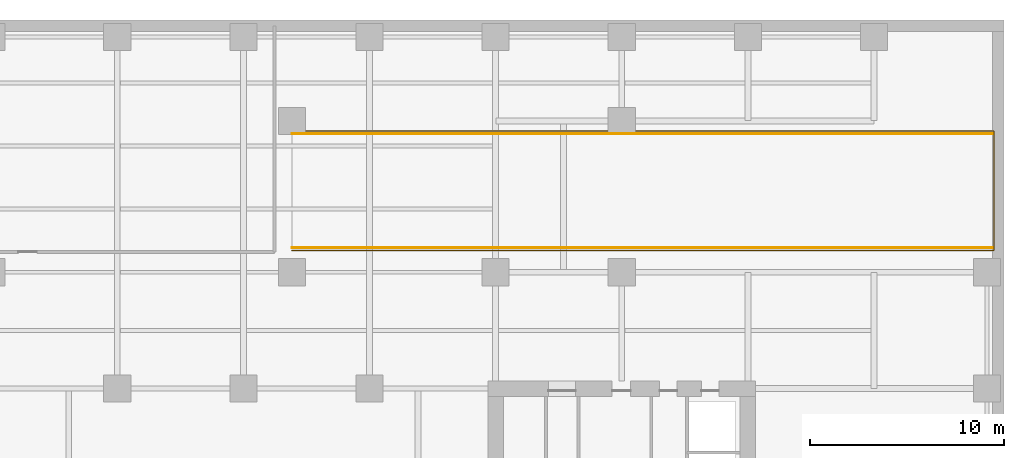
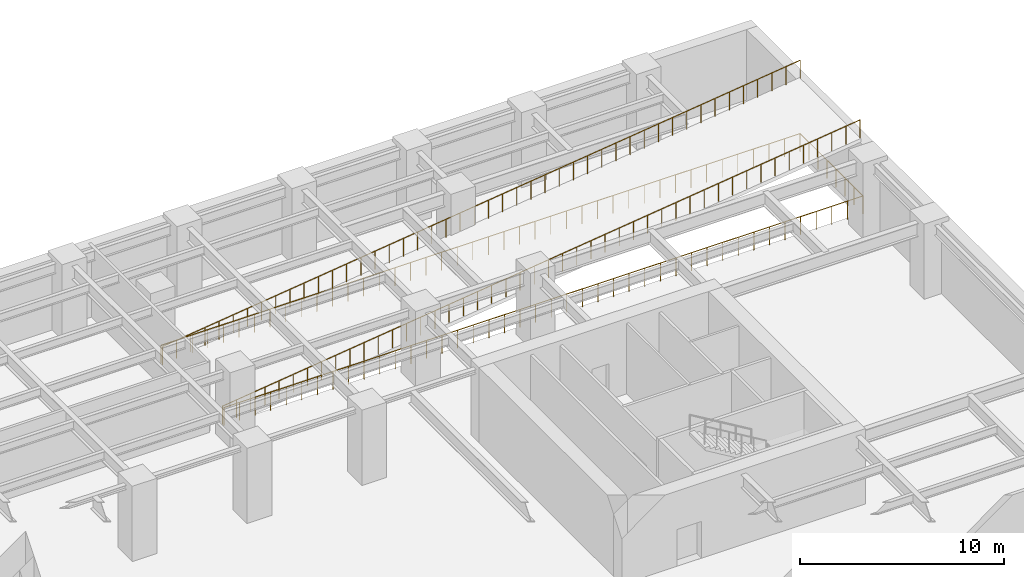
# One storey, part 10 of 10: 3 railings.
"""IFC4 building model written with IfcOpenShell, lengths in metres."""

from ifc_helpers import new_model, si_unit, direction, frame, origin, origin_2d, place, context, subcontext, project, spatial, circle, extrude, material, type_object, element, save


model = new_model("IFC4")

# Units and contexts
model_context = context("Model", 3, precision=1e-05, world=origin(), true_north=direction((0.0, 1.0)))
body_context = subcontext(model_context, "Body", "Model", "MODEL_VIEW")
ifc_project = project(units=[si_unit("LENGTHUNIT", "METRE"), si_unit("AREAUNIT", "SQUARE_METRE"), si_unit("VOLUMEUNIT", "CUBIC_METRE"), si_unit("PLANEANGLEUNIT", "RADIAN"), si_unit("MASSUNIT", "GRAM", prefix="KILO")], contexts=[model_context])

# Site, building, storey
site_placement = place(None, origin())
site = spatial("IfcSite", under=ifc_project, at=site_placement, CompositionType="ELEMENT")
building_placement = place(site_placement, origin())
building = spatial("IfcBuilding", under=site, at=building_placement, Name="Putna Gate Headquarters", CompositionType="ELEMENT")
storey_placement = place(building_placement, frame((0.0, 0.0, -4.5)))
storey = spatial("IfcBuildingStorey", under=building, at=storey_placement, Name="B01", CompositionType="ELEMENT", Elevation=-4.5)

# Railings
ifc_material = material(Name="Powder-coated steel stair guardrail", Category="steel")
railing_type = type_object("IfcRailingType", Name="RAIL-STAIR-GUARD-1100", PredefinedType="GUARDRAIL", material=ifc_material)
railing_1_placement = place(storey_placement, frame((41.5, 40.1201171875, 0.0)))
element("IfcRailing", 1, at=railing_1_placement, inside=storey, type_object=railing_type, Name="B01 Vehicle Ramp Well Guardrail", PredefinedType="GUARDRAIL", context=body_context, shape_type="SweptSolid", body=[
    extrude(circle(Radius=0.02392578125, at=origin_2d()), frame((0.0, 0.0, 1.076171875), z_axis=(1.0, 0.0, 0.0), x_axis=(0.0, 1.0, 0.0)), (0.0, 0.0, 1.0), 36.179931640625),
    extrude(circle(Radius=0.02392578125, at=origin_2d()), frame((36.179931640625, 0.0, 1.076171875), z_axis=(0.0, 1.0, 0.0), x_axis=(-1.0, 0.0, 0.0)), (0.0, 0.0, 1.0), 6.159912109375),
    extrude(circle(Radius=0.02392578125, at=origin_2d()), frame((36.179931640625, 6.159912109375, 1.076171875), z_axis=(-1.0, 0.0, 0.0), x_axis=(0.0, -1.0, 0.0)), (0.0, 0.0, 1.0), 36.179931640625),
    extrude(circle(Radius=0.02099609375, at=origin_2d()), origin(), (0.0, 0.0, 1.0), 1.052001953125),
    extrude(circle(Radius=0.02099609375, at=origin_2d()), frame((0.88232421875, 0.0, 0.0)), (0.0, 0.0, 1.0), 1.052001953125),
    extrude(circle(Radius=0.02099609375, at=origin_2d()), frame((1.764892578125, 0.0, 0.0)), (0.0, 0.0, 1.0), 1.052001953125),
    extrude(circle(Radius=0.02099609375, at=origin_2d()), frame((2.647216796875, 0.0, 0.0)), (0.0, 0.0, 1.0), 1.052001953125),
    extrude(circle(Radius=0.02099609375, at=origin_2d()), frame((3.52978515625, 0.0, 0.0)), (0.0, 0.0, 1.0), 1.052001953125),
    extrude(circle(Radius=0.02099609375, at=origin_2d()), frame((4.412109375, 0.0, 0.0)), (0.0, 0.0, 1.0), 1.052001953125),
    extrude(circle(Radius=0.02099609375, at=origin_2d()), frame((5.294677734375, 0.0, 0.0)), (0.0, 0.0, 1.0), 1.052001953125),
    extrude(circle(Radius=0.02099609375, at=origin_2d()), frame((6.177001953125, 0.0, 0.0)), (0.0, 0.0, 1.0), 1.052001953125),
    extrude(circle(Radius=0.02099609375, at=origin_2d()), frame((7.0595703125, 0.0, 0.0)), (0.0, 0.0, 1.0), 1.052001953125),
    extrude(circle(Radius=0.02099609375, at=origin_2d()), frame((7.94189453125, 0.0, 0.0)), (0.0, 0.0, 1.0), 1.052001953125),
    extrude(circle(Radius=0.02099609375, at=origin_2d()), frame((8.824462890625, 0.0, 0.0)), (0.0, 0.0, 1.0), 1.052001953125),
    extrude(circle(Radius=0.02099609375, at=origin_2d()), frame((9.706787109375, 0.0, 0.0)), (0.0, 0.0, 1.0), 1.052001953125),
    extrude(circle(Radius=0.02099609375, at=origin_2d()), frame((10.58935546875, 0.0, 0.0)), (0.0, 0.0, 1.0), 1.052001953125),
    extrude(circle(Radius=0.02099609375, at=origin_2d()), frame((11.4716796875, 0.0, 0.0)), (0.0, 0.0, 1.0), 1.052001953125),
    extrude(circle(Radius=0.02099609375, at=origin_2d()), frame((12.35400390625, 0.0, 0.0)), (0.0, 0.0, 1.0), 1.052001953125),
    extrude(circle(Radius=0.02099609375, at=origin_2d()), frame((13.236572265625, 0.0, 0.0)), (0.0, 0.0, 1.0), 1.052001953125),
    extrude(circle(Radius=0.02099609375, at=origin_2d()), frame((14.118896484375, 0.0, 0.0)), (0.0, 0.0, 1.0), 1.052001953125),
    extrude(circle(Radius=0.02099609375, at=origin_2d()), frame((15.00146484375, 0.0, 0.0)), (0.0, 0.0, 1.0), 1.052001953125),
    extrude(circle(Radius=0.02099609375, at=origin_2d()), frame((15.8837890625, 0.0, 0.0)), (0.0, 0.0, 1.0), 1.052001953125),
    extrude(circle(Radius=0.02099609375, at=origin_2d()), frame((16.766357421875, 0.0, 0.0)), (0.0, 0.0, 1.0), 1.052001953125),
    extrude(circle(Radius=0.02099609375, at=origin_2d()), frame((17.648681640625, 0.0, 0.0)), (0.0, 0.0, 1.0), 1.052001953125),
    extrude(circle(Radius=0.02099609375, at=origin_2d()), frame((18.53125, 0.0, 0.0)), (0.0, 0.0, 1.0), 1.052001953125),
    extrude(circle(Radius=0.02099609375, at=origin_2d()), frame((19.41357421875, 0.0, 0.0)), (0.0, 0.0, 1.0), 1.052001953125),
    extrude(circle(Radius=0.02099609375, at=origin_2d()), frame((20.296142578125, 0.0, 0.0)), (0.0, 0.0, 1.0), 1.052001953125),
    extrude(circle(Radius=0.02099609375, at=origin_2d()), frame((21.178466796875, 0.0, 0.0)), (0.0, 0.0, 1.0), 1.052001953125),
    extrude(circle(Radius=0.02099609375, at=origin_2d()), frame((22.06103515625, 0.0, 0.0)), (0.0, 0.0, 1.0), 1.052001953125),
    extrude(circle(Radius=0.02099609375, at=origin_2d()), frame((22.943359375, 0.0, 0.0)), (0.0, 0.0, 1.0), 1.052001953125),
    extrude(circle(Radius=0.02099609375, at=origin_2d()), frame((23.825927734375, 0.0, 0.0)), (0.0, 0.0, 1.0), 1.052001953125),
    extrude(circle(Radius=0.02099609375, at=origin_2d()), frame((24.708251953125, 0.0, 0.0)), (0.0, 0.0, 1.0), 1.052001953125),
    extrude(circle(Radius=0.02099609375, at=origin_2d()), frame((25.590576171875, 0.0, 0.0)), (0.0, 0.0, 1.0), 1.052001953125),
    extrude(circle(Radius=0.02099609375, at=origin_2d()), frame((26.47314453125, 0.0, 0.0)), (0.0, 0.0, 1.0), 1.052001953125),
    extrude(circle(Radius=0.02099609375, at=origin_2d()), frame((27.35546875, 0.0, 0.0)), (0.0, 0.0, 1.0), 1.052001953125),
    extrude(circle(Radius=0.02099609375, at=origin_2d()), frame((28.238037109375, 0.0, 0.0)), (0.0, 0.0, 1.0), 1.052001953125),
    extrude(circle(Radius=0.02099609375, at=origin_2d()), frame((29.120361328125, 0.0, 0.0)), (0.0, 0.0, 1.0), 1.052001953125),
    extrude(circle(Radius=0.02099609375, at=origin_2d()), frame((30.0029296875, 0.0, 0.0)), (0.0, 0.0, 1.0), 1.052001953125),
    extrude(circle(Radius=0.02099609375, at=origin_2d()), frame((30.88525390625, 0.0, 0.0)), (0.0, 0.0, 1.0), 1.052001953125),
    extrude(circle(Radius=0.02099609375, at=origin_2d()), frame((31.767822265625, 0.0, 0.0)), (0.0, 0.0, 1.0), 1.052001953125),
    extrude(circle(Radius=0.02099609375, at=origin_2d()), frame((32.650146484375, 0.0, 0.0)), (0.0, 0.0, 1.0), 1.052001953125),
    extrude(circle(Radius=0.02099609375, at=origin_2d()), frame((33.53271484375, 0.0, 0.0)), (0.0, 0.0, 1.0), 1.052001953125),
    extrude(circle(Radius=0.02099609375, at=origin_2d()), frame((34.4150390625, 0.0, 0.0)), (0.0, 0.0, 1.0), 1.052001953125),
    extrude(circle(Radius=0.02099609375, at=origin_2d()), frame((35.297607421875, 0.0, 0.0)), (0.0, 0.0, 1.0), 1.052001953125),
    extrude(circle(Radius=0.02099609375, at=origin_2d()), frame((36.179931640625, 0.0, 0.0)), (0.0, 0.0, 1.0), 1.052001953125),
    extrude(circle(Radius=0.02099609375, at=origin_2d()), frame((36.179931640625, 0.8798828125, 0.0)), (0.0, 0.0, 1.0), 1.052001953125),
    extrude(circle(Radius=0.02099609375, at=origin_2d()), frame((36.179931640625, 1.760009765625, 0.0)), (0.0, 0.0, 1.0), 1.052001953125),
    extrude(circle(Radius=0.02099609375, at=origin_2d()), frame((36.179931640625, 2.639892578125, 0.0)), (0.0, 0.0, 1.0), 1.052001953125),
    extrude(circle(Radius=0.02099609375, at=origin_2d()), frame((36.179931640625, 3.52001953125, 0.0)), (0.0, 0.0, 1.0), 1.052001953125),
    extrude(circle(Radius=0.02099609375, at=origin_2d()), frame((36.179931640625, 4.39990234375, 0.0)), (0.0, 0.0, 1.0), 1.052001953125),
    extrude(circle(Radius=0.02099609375, at=origin_2d()), frame((36.179931640625, 5.280029296875, 0.0)), (0.0, 0.0, 1.0), 1.052001953125),
    extrude(circle(Radius=0.02099609375, at=origin_2d()), frame((36.179931640625, 6.159912109375, 0.0)), (0.0, 0.0, 1.0), 1.052001953125),
    extrude(circle(Radius=0.02099609375, at=origin_2d()), frame((35.297607421875, 6.159912109375, 0.0)), (0.0, 0.0, 1.0), 1.052001953125),
    extrude(circle(Radius=0.02099609375, at=origin_2d()), frame((34.4150390625, 6.159912109375, 0.0)), (0.0, 0.0, 1.0), 1.052001953125),
    extrude(circle(Radius=0.02099609375, at=origin_2d()), frame((33.53271484375, 6.159912109375, 0.0)), (0.0, 0.0, 1.0), 1.052001953125),
    extrude(circle(Radius=0.02099609375, at=origin_2d()), frame((32.650146484375, 6.159912109375, 0.0)), (0.0, 0.0, 1.0), 1.052001953125),
    extrude(circle(Radius=0.02099609375, at=origin_2d()), frame((31.767822265625, 6.159912109375, 0.0)), (0.0, 0.0, 1.0), 1.052001953125),
    extrude(circle(Radius=0.02099609375, at=origin_2d()), frame((30.88525390625, 6.159912109375, 0.0)), (0.0, 0.0, 1.0), 1.052001953125),
    extrude(circle(Radius=0.02099609375, at=origin_2d()), frame((30.0029296875, 6.159912109375, 0.0)), (0.0, 0.0, 1.0), 1.052001953125),
    extrude(circle(Radius=0.02099609375, at=origin_2d()), frame((29.120361328125, 6.159912109375, 0.0)), (0.0, 0.0, 1.0), 1.052001953125),
    extrude(circle(Radius=0.02099609375, at=origin_2d()), frame((28.238037109375, 6.159912109375, 0.0)), (0.0, 0.0, 1.0), 1.052001953125),
    extrude(circle(Radius=0.02099609375, at=origin_2d()), frame((27.35546875, 6.159912109375, 0.0)), (0.0, 0.0, 1.0), 1.052001953125),
    extrude(circle(Radius=0.02099609375, at=origin_2d()), frame((26.47314453125, 6.159912109375, 0.0)), (0.0, 0.0, 1.0), 1.052001953125),
    extrude(circle(Radius=0.02099609375, at=origin_2d()), frame((25.590576171875, 6.159912109375, 0.0)), (0.0, 0.0, 1.0), 1.052001953125),
    extrude(circle(Radius=0.02099609375, at=origin_2d()), frame((24.708251953125, 6.159912109375, 0.0)), (0.0, 0.0, 1.0), 1.052001953125),
    extrude(circle(Radius=0.02099609375, at=origin_2d()), frame((23.825927734375, 6.159912109375, 0.0)), (0.0, 0.0, 1.0), 1.052001953125),
    extrude(circle(Radius=0.02099609375, at=origin_2d()), frame((22.943359375, 6.159912109375, 0.0)), (0.0, 0.0, 1.0), 1.052001953125),
    extrude(circle(Radius=0.02099609375, at=origin_2d()), frame((22.06103515625, 6.159912109375, 0.0)), (0.0, 0.0, 1.0), 1.052001953125),
    extrude(circle(Radius=0.02099609375, at=origin_2d()), frame((21.178466796875, 6.159912109375, 0.0)), (0.0, 0.0, 1.0), 1.052001953125),
    extrude(circle(Radius=0.02099609375, at=origin_2d()), frame((20.296142578125, 6.159912109375, 0.0)), (0.0, 0.0, 1.0), 1.052001953125),
    extrude(circle(Radius=0.02099609375, at=origin_2d()), frame((19.41357421875, 6.159912109375, 0.0)), (0.0, 0.0, 1.0), 1.052001953125),
    extrude(circle(Radius=0.02099609375, at=origin_2d()), frame((18.53125, 6.159912109375, 0.0)), (0.0, 0.0, 1.0), 1.052001953125),
    extrude(circle(Radius=0.02099609375, at=origin_2d()), frame((17.648681640625, 6.159912109375, 0.0)), (0.0, 0.0, 1.0), 1.052001953125),
    extrude(circle(Radius=0.02099609375, at=origin_2d()), frame((16.766357421875, 6.159912109375, 0.0)), (0.0, 0.0, 1.0), 1.052001953125),
    extrude(circle(Radius=0.02099609375, at=origin_2d()), frame((15.8837890625, 6.159912109375, 0.0)), (0.0, 0.0, 1.0), 1.052001953125),
    extrude(circle(Radius=0.02099609375, at=origin_2d()), frame((15.00146484375, 6.159912109375, 0.0)), (0.0, 0.0, 1.0), 1.052001953125),
    extrude(circle(Radius=0.02099609375, at=origin_2d()), frame((14.118896484375, 6.159912109375, 0.0)), (0.0, 0.0, 1.0), 1.052001953125),
    extrude(circle(Radius=0.02099609375, at=origin_2d()), frame((13.236572265625, 6.159912109375, 0.0)), (0.0, 0.0, 1.0), 1.052001953125),
    extrude(circle(Radius=0.02099609375, at=origin_2d()), frame((12.35400390625, 6.159912109375, 0.0)), (0.0, 0.0, 1.0), 1.052001953125),
    extrude(circle(Radius=0.02099609375, at=origin_2d()), frame((11.4716796875, 6.159912109375, 0.0)), (0.0, 0.0, 1.0), 1.052001953125),
    extrude(circle(Radius=0.02099609375, at=origin_2d()), frame((10.58935546875, 6.159912109375, 0.0)), (0.0, 0.0, 1.0), 1.052001953125),
    extrude(circle(Radius=0.02099609375, at=origin_2d()), frame((9.706787109375, 6.159912109375, 0.0)), (0.0, 0.0, 1.0), 1.052001953125),
    extrude(circle(Radius=0.02099609375, at=origin_2d()), frame((8.824462890625, 6.159912109375, 0.0)), (0.0, 0.0, 1.0), 1.052001953125),
    extrude(circle(Radius=0.02099609375, at=origin_2d()), frame((7.94189453125, 6.159912109375, 0.0)), (0.0, 0.0, 1.0), 1.052001953125),
    extrude(circle(Radius=0.02099609375, at=origin_2d()), frame((7.0595703125, 6.159912109375, 0.0)), (0.0, 0.0, 1.0), 1.052001953125),
    extrude(circle(Radius=0.02099609375, at=origin_2d()), frame((6.177001953125, 6.159912109375, 0.0)), (0.0, 0.0, 1.0), 1.052001953125),
    extrude(circle(Radius=0.02099609375, at=origin_2d()), frame((5.294677734375, 6.159912109375, 0.0)), (0.0, 0.0, 1.0), 1.052001953125),
    extrude(circle(Radius=0.02099609375, at=origin_2d()), frame((4.412109375, 6.159912109375, 0.0)), (0.0, 0.0, 1.0), 1.052001953125),
    extrude(circle(Radius=0.02099609375, at=origin_2d()), frame((3.52978515625, 6.159912109375, 0.0)), (0.0, 0.0, 1.0), 1.052001953125),
    extrude(circle(Radius=0.02099609375, at=origin_2d()), frame((2.647216796875, 6.159912109375, 0.0)), (0.0, 0.0, 1.0), 1.052001953125),
    extrude(circle(Radius=0.02099609375, at=origin_2d()), frame((1.764892578125, 6.159912109375, 0.0)), (0.0, 0.0, 1.0), 1.052001953125),
    extrude(circle(Radius=0.02099609375, at=origin_2d()), frame((0.88232421875, 6.159912109375, 0.0)), (0.0, 0.0, 1.0), 1.052001953125),
    extrude(circle(Radius=0.02099609375, at=origin_2d()), frame((0.0, 6.159912109375, 0.0)), (0.0, 0.0, 1.0), 1.052001953125),
])
railing_2_placement = place(storey_placement, frame((41.5, 40.260009765625, 0.0)))
element("IfcRailing", 2, at=railing_2_placement, inside=storey, type_object=railing_type, Name="B01 Sloped Vehicle Ramp Flight Guardrail S", PredefinedType="GUARDRAIL", context=body_context, shape_type="SweptSolid", body=[
    extrude(circle(Radius=0.02392578125, at=origin_2d()), frame((0.0, 0.0, 1.076171875), z_axis=(0.992319636048, 0.0, 0.123700201755), x_axis=(0.0, 1.0, 0.0)), (0.0, 0.0, 1.0), 4.0419921875),
    extrude(circle(Radius=0.02392578125, at=origin_2d()), frame((4.010986328125, 0.0, 1.576171875), z_axis=(0.992320560197, 0.0, 0.123692788027), x_axis=(0.0, 1.0, 0.0)), (0.0, 0.0, 1.0), 4.042236328125),
    extrude(circle(Radius=0.02392578125, at=origin_2d()), frame((8.022216796875, 0.0, 2.076171875), z_axis=(0.992319636048, 0.0, 0.123700201755), x_axis=(0.0, 1.0, 0.0)), (0.0, 0.0, 1.0), 4.0419921875),
    extrude(circle(Radius=0.02392578125, at=origin_2d()), frame((12.033203125, 0.0, 2.576171875), z_axis=(0.992320560197, 0.0, 0.123692788027), x_axis=(0.0, 1.0, 0.0)), (0.0, 0.0, 1.0), 4.042236328125),
    extrude(circle(Radius=0.02392578125, at=origin_2d()), frame((16.04443359375, 0.0, 3.076171875), z_axis=(0.992320560197, 0.0, 0.123692788027), x_axis=(0.0, 1.0, 0.0)), (0.0, 0.0, 1.0), 4.042236328125),
    extrude(circle(Radius=0.02392578125, at=origin_2d()), frame((20.0556640625, 0.0, 3.576171875), z_axis=(0.992319636048, 0.0, 0.123700201755), x_axis=(0.0, 1.0, 0.0)), (0.0, 0.0, 1.0), 4.0419921875),
    extrude(circle(Radius=0.02392578125, at=origin_2d()), frame((24.066650390625, 0.0, 4.076171875), z_axis=(0.992320560197, 0.0, 0.123692788027), x_axis=(0.0, 1.0, 0.0)), (0.0, 0.0, 1.0), 4.042236328125),
    extrude(circle(Radius=0.02392578125, at=origin_2d()), frame((28.077880859375, 0.0, 4.576171875), z_axis=(0.992319636048, 0.0, 0.123700201755), x_axis=(0.0, 1.0, 0.0)), (0.0, 0.0, 1.0), 4.0419921875),
    extrude(circle(Radius=0.02392578125, at=origin_2d()), frame((32.0888671875, 0.0, 5.076171875), z_axis=(0.992320560197, 0.0, 0.123692788027), x_axis=(0.0, 1.0, 0.0)), (0.0, 0.0, 1.0), 4.042236328125),
    extrude(circle(Radius=0.02099609375, at=origin_2d()), origin(), (0.0, 0.0, 1.0), 1.052001953125),
    extrude(circle(Radius=0.02099609375, at=origin_2d()), frame((0.80224609375, 0.0, 0.10009765625)), (0.0, 0.0, 1.0), 1.052001953125),
    extrude(circle(Radius=0.02099609375, at=origin_2d()), frame((1.6044921875, 0.0, 0.199951171875)), (0.0, 0.0, 1.0), 1.052001953125),
    extrude(circle(Radius=0.02099609375, at=origin_2d()), frame((2.406494140625, 0.0, 0.300048828125)), (0.0, 0.0, 1.0), 1.052001953125),
    extrude(circle(Radius=0.02099609375, at=origin_2d()), frame((3.208740234375, 0.0, 0.39990234375)), (0.0, 0.0, 1.0), 1.052001953125),
    extrude(circle(Radius=0.02099609375, at=origin_2d()), frame((4.010986328125, 0.0, 0.5)), (0.0, 0.0, 1.0), 1.052001953125),
    extrude(circle(Radius=0.02099609375, at=origin_2d()), frame((4.813232421875, 0.0, 0.60009765625)), (0.0, 0.0, 1.0), 1.052001953125),
    extrude(circle(Radius=0.02099609375, at=origin_2d()), frame((5.615478515625, 0.0, 0.699951171875)), (0.0, 0.0, 1.0), 1.052001953125),
    extrude(circle(Radius=0.02099609375, at=origin_2d()), frame((6.417724609375, 0.0, 0.800048828125)), (0.0, 0.0, 1.0), 1.052001953125),
    extrude(circle(Radius=0.02099609375, at=origin_2d()), frame((7.219970703125, 0.0, 0.89990234375)), (0.0, 0.0, 1.0), 1.052001953125),
    extrude(circle(Radius=0.02099609375, at=origin_2d()), frame((8.022216796875, 0.0, 1.0)), (0.0, 0.0, 1.0), 1.052001953125),
    extrude(circle(Radius=0.02099609375, at=origin_2d()), frame((8.824462890625, 0.0, 1.10009765625)), (0.0, 0.0, 1.0), 1.052001953125),
    extrude(circle(Radius=0.02099609375, at=origin_2d()), frame((9.626708984375, 0.0, 1.199951171875)), (0.0, 0.0, 1.0), 1.052001953125),
    extrude(circle(Radius=0.02099609375, at=origin_2d()), frame((10.4287109375, 0.0, 1.300048828125)), (0.0, 0.0, 1.0), 1.052001953125),
    extrude(circle(Radius=0.02099609375, at=origin_2d()), frame((11.23095703125, 0.0, 1.39990234375)), (0.0, 0.0, 1.0), 1.052001953125),
    extrude(circle(Radius=0.02099609375, at=origin_2d()), frame((12.033203125, 0.0, 1.5)), (0.0, 0.0, 1.0), 1.052001953125),
    extrude(circle(Radius=0.02099609375, at=origin_2d()), frame((12.83544921875, 0.0, 1.60009765625)), (0.0, 0.0, 1.0), 1.052001953125),
    extrude(circle(Radius=0.02099609375, at=origin_2d()), frame((13.6376953125, 0.0, 1.699951171875)), (0.0, 0.0, 1.0), 1.052001953125),
    extrude(circle(Radius=0.02099609375, at=origin_2d()), frame((14.43994140625, 0.0, 1.800048828125)), (0.0, 0.0, 1.0), 1.052001953125),
    extrude(circle(Radius=0.02099609375, at=origin_2d()), frame((15.2421875, 0.0, 1.89990234375)), (0.0, 0.0, 1.0), 1.052001953125),
    extrude(circle(Radius=0.02099609375, at=origin_2d()), frame((16.04443359375, 0.0, 2.0)), (0.0, 0.0, 1.0), 1.052001953125),
    extrude(circle(Radius=0.02099609375, at=origin_2d()), frame((16.8466796875, 0.0, 2.10009765625)), (0.0, 0.0, 1.0), 1.052001953125),
    extrude(circle(Radius=0.02099609375, at=origin_2d()), frame((17.64892578125, 0.0, 2.199951171875)), (0.0, 0.0, 1.0), 1.052001953125),
    extrude(circle(Radius=0.02099609375, at=origin_2d()), frame((18.451171875, 0.0, 2.300048828125)), (0.0, 0.0, 1.0), 1.052001953125),
    extrude(circle(Radius=0.02099609375, at=origin_2d()), frame((19.25341796875, 0.0, 2.39990234375)), (0.0, 0.0, 1.0), 1.052001953125),
    extrude(circle(Radius=0.02099609375, at=origin_2d()), frame((20.0556640625, 0.0, 2.5)), (0.0, 0.0, 1.0), 1.052001953125),
    extrude(circle(Radius=0.02099609375, at=origin_2d()), frame((20.85791015625, 0.0, 2.60009765625)), (0.0, 0.0, 1.0), 1.052001953125),
    extrude(circle(Radius=0.02099609375, at=origin_2d()), frame((21.66015625, 0.0, 2.699951171875)), (0.0, 0.0, 1.0), 1.052001953125),
    extrude(circle(Radius=0.02099609375, at=origin_2d()), frame((22.462158203125, 0.0, 2.800048828125)), (0.0, 0.0, 1.0), 1.052001953125),
    extrude(circle(Radius=0.02099609375, at=origin_2d()), frame((23.264404296875, 0.0, 2.89990234375)), (0.0, 0.0, 1.0), 1.052001953125),
    extrude(circle(Radius=0.02099609375, at=origin_2d()), frame((24.066650390625, 0.0, 3.0)), (0.0, 0.0, 1.0), 1.052001953125),
    extrude(circle(Radius=0.02099609375, at=origin_2d()), frame((24.868896484375, 0.0, 3.10009765625)), (0.0, 0.0, 1.0), 1.052001953125),
    extrude(circle(Radius=0.02099609375, at=origin_2d()), frame((25.671142578125, 0.0, 3.199951171875)), (0.0, 0.0, 1.0), 1.052001953125),
    extrude(circle(Radius=0.02099609375, at=origin_2d()), frame((26.473388671875, 0.0, 3.300048828125)), (0.0, 0.0, 1.0), 1.052001953125),
    extrude(circle(Radius=0.02099609375, at=origin_2d()), frame((27.275634765625, 0.0, 3.39990234375)), (0.0, 0.0, 1.0), 1.052001953125),
    extrude(circle(Radius=0.02099609375, at=origin_2d()), frame((28.077880859375, 0.0, 3.5)), (0.0, 0.0, 1.0), 1.052001953125),
    extrude(circle(Radius=0.02099609375, at=origin_2d()), frame((28.880126953125, 0.0, 3.60009765625)), (0.0, 0.0, 1.0), 1.052001953125),
    extrude(circle(Radius=0.02099609375, at=origin_2d()), frame((29.682373046875, 0.0, 3.699951171875)), (0.0, 0.0, 1.0), 1.052001953125),
    extrude(circle(Radius=0.02099609375, at=origin_2d()), frame((30.484375, 0.0, 3.800048828125)), (0.0, 0.0, 1.0), 1.052001953125),
    extrude(circle(Radius=0.02099609375, at=origin_2d()), frame((31.28662109375, 0.0, 3.89990234375)), (0.0, 0.0, 1.0), 1.052001953125),
    extrude(circle(Radius=0.02099609375, at=origin_2d()), frame((32.0888671875, 0.0, 4.0)), (0.0, 0.0, 1.0), 1.052001953125),
    extrude(circle(Radius=0.02099609375, at=origin_2d()), frame((32.89111328125, 0.0, 4.10009765625)), (0.0, 0.0, 1.0), 1.052001953125),
    extrude(circle(Radius=0.02099609375, at=origin_2d()), frame((33.693359375, 0.0, 4.199951171875)), (0.0, 0.0, 1.0), 1.052001953125),
    extrude(circle(Radius=0.02099609375, at=origin_2d()), frame((34.49560546875, 0.0, 4.300048828125)), (0.0, 0.0, 1.0), 1.052001953125),
    extrude(circle(Radius=0.02099609375, at=origin_2d()), frame((35.2978515625, 0.0, 4.39990234375)), (0.0, 0.0, 1.0), 1.052001953125),
    extrude(circle(Radius=0.02099609375, at=origin_2d()), frame((36.10009765625, 0.0, 4.5)), (0.0, 0.0, 1.0), 1.052001953125),
])
railing_3_placement = place(storey_placement, frame((41.5, 46.139892578125, 0.0)))
element("IfcRailing", 3, at=railing_3_placement, inside=storey, type_object=railing_type, Name="B01 Sloped Vehicle Ramp Flight Guardrail N", PredefinedType="GUARDRAIL", context=body_context, shape_type="SweptSolid", body=[
    extrude(circle(Radius=0.02392578125, at=origin_2d()), frame((0.0, 0.0, 1.076171875), z_axis=(0.992319636048, 0.0, 0.123700201755), x_axis=(0.0, 1.0, 0.0)), (0.0, 0.0, 1.0), 4.0419921875),
    extrude(circle(Radius=0.02392578125, at=origin_2d()), frame((4.010986328125, 0.0, 1.576171875), z_axis=(0.992320560197, 0.0, 0.123692788027), x_axis=(0.0, 1.0, 0.0)), (0.0, 0.0, 1.0), 4.042236328125),
    extrude(circle(Radius=0.02392578125, at=origin_2d()), frame((8.022216796875, 0.0, 2.076171875), z_axis=(0.992319636048, 0.0, 0.123700201755), x_axis=(0.0, 1.0, 0.0)), (0.0, 0.0, 1.0), 4.0419921875),
    extrude(circle(Radius=0.02392578125, at=origin_2d()), frame((12.033203125, 0.0, 2.576171875), z_axis=(0.992320560197, 0.0, 0.123692788027), x_axis=(0.0, 1.0, 0.0)), (0.0, 0.0, 1.0), 4.042236328125),
    extrude(circle(Radius=0.02392578125, at=origin_2d()), frame((16.04443359375, 0.0, 3.076171875), z_axis=(0.992320560197, 0.0, 0.123692788027), x_axis=(0.0, 1.0, 0.0)), (0.0, 0.0, 1.0), 4.042236328125),
    extrude(circle(Radius=0.02392578125, at=origin_2d()), frame((20.0556640625, 0.0, 3.576171875), z_axis=(0.992319636048, 0.0, 0.123700201755), x_axis=(0.0, 1.0, 0.0)), (0.0, 0.0, 1.0), 4.0419921875),
    extrude(circle(Radius=0.02392578125, at=origin_2d()), frame((24.066650390625, 0.0, 4.076171875), z_axis=(0.992320560197, 0.0, 0.123692788027), x_axis=(0.0, 1.0, 0.0)), (0.0, 0.0, 1.0), 4.042236328125),
    extrude(circle(Radius=0.02392578125, at=origin_2d()), frame((28.077880859375, 0.0, 4.576171875), z_axis=(0.992319636048, 0.0, 0.123700201755), x_axis=(0.0, 1.0, 0.0)), (0.0, 0.0, 1.0), 4.0419921875),
    extrude(circle(Radius=0.02392578125, at=origin_2d()), frame((32.0888671875, 0.0, 5.076171875), z_axis=(0.992320560197, 0.0, 0.123692788027), x_axis=(0.0, 1.0, 0.0)), (0.0, 0.0, 1.0), 4.042236328125),
    extrude(circle(Radius=0.02099609375, at=origin_2d()), origin(), (0.0, 0.0, 1.0), 1.052001953125),
    extrude(circle(Radius=0.02099609375, at=origin_2d()), frame((0.80224609375, 0.0, 0.10009765625)), (0.0, 0.0, 1.0), 1.052001953125),
    extrude(circle(Radius=0.02099609375, at=origin_2d()), frame((1.6044921875, 0.0, 0.199951171875)), (0.0, 0.0, 1.0), 1.052001953125),
    extrude(circle(Radius=0.02099609375, at=origin_2d()), frame((2.406494140625, 0.0, 0.300048828125)), (0.0, 0.0, 1.0), 1.052001953125),
    extrude(circle(Radius=0.02099609375, at=origin_2d()), frame((3.208740234375, 0.0, 0.39990234375)), (0.0, 0.0, 1.0), 1.052001953125),
    extrude(circle(Radius=0.02099609375, at=origin_2d()), frame((4.010986328125, 0.0, 0.5)), (0.0, 0.0, 1.0), 1.052001953125),
    extrude(circle(Radius=0.02099609375, at=origin_2d()), frame((4.813232421875, 0.0, 0.60009765625)), (0.0, 0.0, 1.0), 1.052001953125),
    extrude(circle(Radius=0.02099609375, at=origin_2d()), frame((5.615478515625, 0.0, 0.699951171875)), (0.0, 0.0, 1.0), 1.052001953125),
    extrude(circle(Radius=0.02099609375, at=origin_2d()), frame((6.417724609375, 0.0, 0.800048828125)), (0.0, 0.0, 1.0), 1.052001953125),
    extrude(circle(Radius=0.02099609375, at=origin_2d()), frame((7.219970703125, 0.0, 0.89990234375)), (0.0, 0.0, 1.0), 1.052001953125),
    extrude(circle(Radius=0.02099609375, at=origin_2d()), frame((8.022216796875, 0.0, 1.0)), (0.0, 0.0, 1.0), 1.052001953125),
    extrude(circle(Radius=0.02099609375, at=origin_2d()), frame((8.824462890625, 0.0, 1.10009765625)), (0.0, 0.0, 1.0), 1.052001953125),
    extrude(circle(Radius=0.02099609375, at=origin_2d()), frame((9.626708984375, 0.0, 1.199951171875)), (0.0, 0.0, 1.0), 1.052001953125),
    extrude(circle(Radius=0.02099609375, at=origin_2d()), frame((10.4287109375, 0.0, 1.300048828125)), (0.0, 0.0, 1.0), 1.052001953125),
    extrude(circle(Radius=0.02099609375, at=origin_2d()), frame((11.23095703125, 0.0, 1.39990234375)), (0.0, 0.0, 1.0), 1.052001953125),
    extrude(circle(Radius=0.02099609375, at=origin_2d()), frame((12.033203125, 0.0, 1.5)), (0.0, 0.0, 1.0), 1.052001953125),
    extrude(circle(Radius=0.02099609375, at=origin_2d()), frame((12.83544921875, 0.0, 1.60009765625)), (0.0, 0.0, 1.0), 1.052001953125),
    extrude(circle(Radius=0.02099609375, at=origin_2d()), frame((13.6376953125, 0.0, 1.699951171875)), (0.0, 0.0, 1.0), 1.052001953125),
    extrude(circle(Radius=0.02099609375, at=origin_2d()), frame((14.43994140625, 0.0, 1.800048828125)), (0.0, 0.0, 1.0), 1.052001953125),
    extrude(circle(Radius=0.02099609375, at=origin_2d()), frame((15.2421875, 0.0, 1.89990234375)), (0.0, 0.0, 1.0), 1.052001953125),
    extrude(circle(Radius=0.02099609375, at=origin_2d()), frame((16.04443359375, 0.0, 2.0)), (0.0, 0.0, 1.0), 1.052001953125),
    extrude(circle(Radius=0.02099609375, at=origin_2d()), frame((16.8466796875, 0.0, 2.10009765625)), (0.0, 0.0, 1.0), 1.052001953125),
    extrude(circle(Radius=0.02099609375, at=origin_2d()), frame((17.64892578125, 0.0, 2.199951171875)), (0.0, 0.0, 1.0), 1.052001953125),
    extrude(circle(Radius=0.02099609375, at=origin_2d()), frame((18.451171875, 0.0, 2.300048828125)), (0.0, 0.0, 1.0), 1.052001953125),
    extrude(circle(Radius=0.02099609375, at=origin_2d()), frame((19.25341796875, 0.0, 2.39990234375)), (0.0, 0.0, 1.0), 1.052001953125),
    extrude(circle(Radius=0.02099609375, at=origin_2d()), frame((20.0556640625, 0.0, 2.5)), (0.0, 0.0, 1.0), 1.052001953125),
    extrude(circle(Radius=0.02099609375, at=origin_2d()), frame((20.85791015625, 0.0, 2.60009765625)), (0.0, 0.0, 1.0), 1.052001953125),
    extrude(circle(Radius=0.02099609375, at=origin_2d()), frame((21.66015625, 0.0, 2.699951171875)), (0.0, 0.0, 1.0), 1.052001953125),
    extrude(circle(Radius=0.02099609375, at=origin_2d()), frame((22.462158203125, 0.0, 2.800048828125)), (0.0, 0.0, 1.0), 1.052001953125),
    extrude(circle(Radius=0.02099609375, at=origin_2d()), frame((23.264404296875, 0.0, 2.89990234375)), (0.0, 0.0, 1.0), 1.052001953125),
    extrude(circle(Radius=0.02099609375, at=origin_2d()), frame((24.066650390625, 0.0, 3.0)), (0.0, 0.0, 1.0), 1.052001953125),
    extrude(circle(Radius=0.02099609375, at=origin_2d()), frame((24.868896484375, 0.0, 3.10009765625)), (0.0, 0.0, 1.0), 1.052001953125),
    extrude(circle(Radius=0.02099609375, at=origin_2d()), frame((25.671142578125, 0.0, 3.199951171875)), (0.0, 0.0, 1.0), 1.052001953125),
    extrude(circle(Radius=0.02099609375, at=origin_2d()), frame((26.473388671875, 0.0, 3.300048828125)), (0.0, 0.0, 1.0), 1.052001953125),
    extrude(circle(Radius=0.02099609375, at=origin_2d()), frame((27.275634765625, 0.0, 3.39990234375)), (0.0, 0.0, 1.0), 1.052001953125),
    extrude(circle(Radius=0.02099609375, at=origin_2d()), frame((28.077880859375, 0.0, 3.5)), (0.0, 0.0, 1.0), 1.052001953125),
    extrude(circle(Radius=0.02099609375, at=origin_2d()), frame((28.880126953125, 0.0, 3.60009765625)), (0.0, 0.0, 1.0), 1.052001953125),
    extrude(circle(Radius=0.02099609375, at=origin_2d()), frame((29.682373046875, 0.0, 3.699951171875)), (0.0, 0.0, 1.0), 1.052001953125),
    extrude(circle(Radius=0.02099609375, at=origin_2d()), frame((30.484375, 0.0, 3.800048828125)), (0.0, 0.0, 1.0), 1.052001953125),
    extrude(circle(Radius=0.02099609375, at=origin_2d()), frame((31.28662109375, 0.0, 3.89990234375)), (0.0, 0.0, 1.0), 1.052001953125),
    extrude(circle(Radius=0.02099609375, at=origin_2d()), frame((32.0888671875, 0.0, 4.0)), (0.0, 0.0, 1.0), 1.052001953125),
    extrude(circle(Radius=0.02099609375, at=origin_2d()), frame((32.89111328125, 0.0, 4.10009765625)), (0.0, 0.0, 1.0), 1.052001953125),
    extrude(circle(Radius=0.02099609375, at=origin_2d()), frame((33.693359375, 0.0, 4.199951171875)), (0.0, 0.0, 1.0), 1.052001953125),
    extrude(circle(Radius=0.02099609375, at=origin_2d()), frame((34.49560546875, 0.0, 4.300048828125)), (0.0, 0.0, 1.0), 1.052001953125),
    extrude(circle(Radius=0.02099609375, at=origin_2d()), frame((35.2978515625, 0.0, 4.39990234375)), (0.0, 0.0, 1.0), 1.052001953125),
    extrude(circle(Radius=0.02099609375, at=origin_2d()), frame((36.10009765625, 0.0, 4.5)), (0.0, 0.0, 1.0), 1.052001953125),
])

save(model, "model.ifc")
